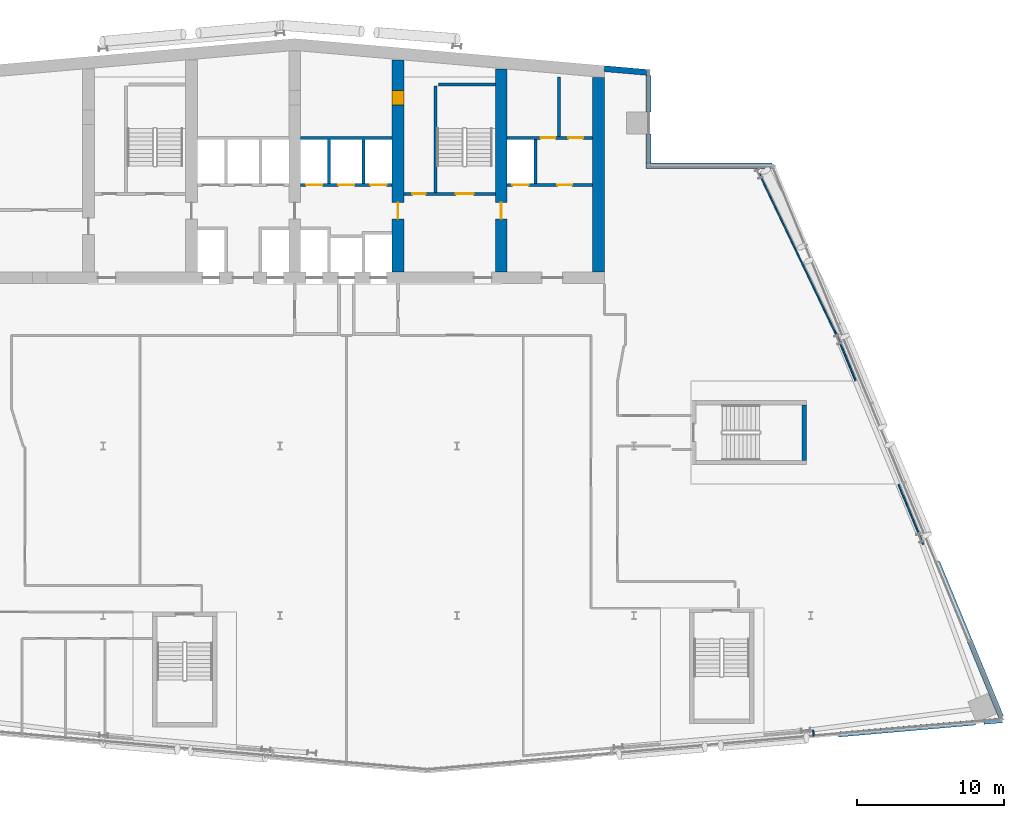
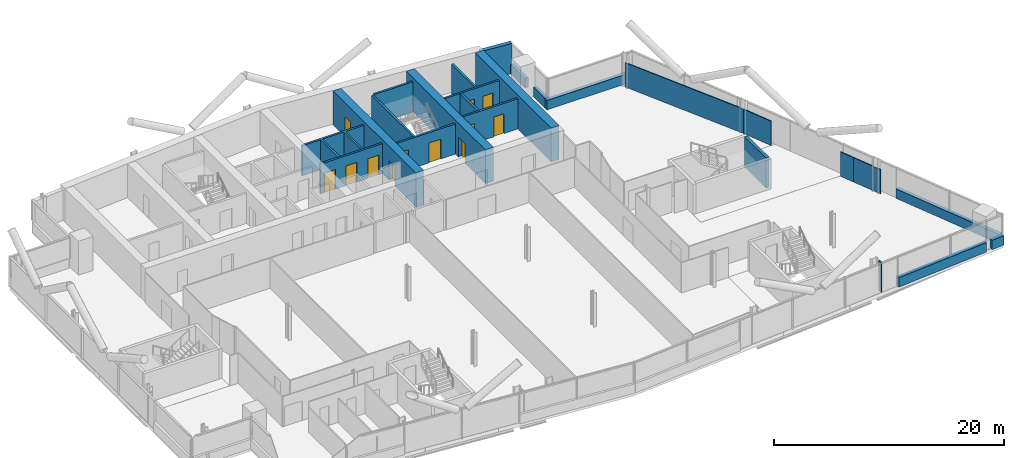
# One storey, part 18 of 26: 25 walls, 12 doors, 12 openings.
"""IFC4 building model written with IfcOpenShell, lengths in metres."""

from ifc_helpers import new_model, si_unit, direction, frame, frame_2d, origin, place, context, subcontext, project, spatial, polyline, rectangle, outline, extrude, material, layer, layer_set, type_object, element, fill, save


model = new_model("IFC4")

# Units and contexts
model_context = context("Model", 3, precision=1e-05, world=origin(), true_north=direction((0.0, 1.0)))
body_context = subcontext(model_context, "Body", "Model", "MODEL_VIEW")
ifc_project = project(units=[si_unit("LENGTHUNIT", "METRE"), si_unit("AREAUNIT", "SQUARE_METRE"), si_unit("VOLUMEUNIT", "CUBIC_METRE"), si_unit("PLANEANGLEUNIT", "RADIAN"), si_unit("MASSUNIT", "GRAM", prefix="KILO")], contexts=[model_context])

# Site, building, storey
site_placement = place(None, origin())
site = spatial("IfcSite", under=ifc_project, at=site_placement, CompositionType="ELEMENT")
building_placement = place(site_placement, origin())
building = spatial("IfcBuilding", under=site, at=building_placement, Name="Wharfspan Tower", CompositionType="ELEMENT")
storey_placement = place(building_placement, frame((0.0, 0.0, 180.699951)))
storey = spatial("IfcBuildingStorey", under=building, at=storey_placement, Name="L44", CompositionType="ELEMENT", Elevation=180.699951)

# Wall
ifc_material_1 = material(Name="Calcium silicate masonry", Category="masonry")
ifc_layer_1 = layer(ifc_material_1, 0.199951)
ifc_layer_set_1 = layer_set([ifc_layer_1], Name="Calcium silicate masonry")
wall_type_1 = type_object("IfcWallType", Name="Core room wall 200", PredefinedType="PARTITIONING", material=ifc_layer_set_1)
wall_1_placement = place(storey_placement, frame((54.93335, 44.0, 0.0), z_axis=(0.0, 0.0, 1.0), x_axis=(0.0, 1.0, 0.0)))
element("IfcWall", 1, at=wall_1_placement, inside=storey, type_object=wall_type_1, Name="sw:L44:RP6.1", PredefinedType="PARTITIONING", context=body_context, shape_type="SweptSolid", body=[
    extrude(rectangle(XDim=4.03418, YDim=0.199951, at=frame_2d((2.01709, 0.0))), origin(), (0.0, 0.0, 1.0), 3.199951),
])

# Wall, openings, doors
ifc_material_2 = material(Name="Concrete C60/75", Category="concrete")
ifc_layer_2 = layer(ifc_material_2, 0.800049)
ifc_layer_set_2 = layer_set([ifc_layer_2], Name="Concrete C60/75")
wall_type_2 = type_object("IfcWallType", Name="Core wall 800 C60/75", PredefinedType="SHEAR", material=ifc_layer_set_2)
wall_2_placement = place(storey_placement, frame((44.0, 34.800049, 0.0), z_axis=(0.0, 0.0, 1.0), x_axis=(0.0, 1.0, 0.0)))
wall_2 = element("IfcWall", 2, at=wall_2_placement, inside=storey, type_object=wall_type_2, Name="Core cross wall X5 L44", PredefinedType="SHEAR", context=body_context, shape_type="SweptSolid", body=[
    extrude(rectangle(XDim=14.374023, YDim=0.800049, at=frame_2d((7.187012, 0.0))), origin(), (0.0, 0.0, 1.0), 3.600098),
])
opening_1_placement = place(wall_2_placement, frame((11.312012, 0.0, 0.0)))
opening_1 = element("IfcOpeningElement", 3, at=opening_1_placement, cuts=wall_2, Name="Opening CD44.4X", PredefinedType="OPENING", context=body_context, shape_type="SweptSolid", body=[
    extrude(rectangle(XDim=1.0, YDim=2.100098, at=frame_2d((0.5, 1.050049))), frame((0.0, 0.409912, 0.0), z_axis=(0.0, -1.0, 0.0), x_axis=(1.0, 0.0, 0.0)), (0.0, 0.0, 1.0), 0.820068),
])
opening_2_placement = place(wall_2_placement, frame((3.600098, 0.0, 0.0)))
opening_2 = element("IfcOpeningElement", 4, at=opening_2_placement, cuts=wall_2, Name="Opening CC44.5", PredefinedType="OPENING", context=body_context, shape_type="SweptSolid", body=[
    extrude(rectangle(XDim=1.100098, YDim=2.100098, at=frame_2d((0.550049, 1.050049))), frame((0.0, 0.409912, 0.0), z_axis=(0.0, -1.0, 0.0), x_axis=(1.0, 0.0, 0.0)), (0.0, 0.0, 1.0), 0.820068),
])
ifc_material_3 = material(Name="Steel door leaf", Category="steel")
door_type_1 = type_object("IfcDoorType", Name="Core corridor door 1100x2100", OperationType="SINGLE_SWING_LEFT", PredefinedType="DOOR", material=ifc_material_3)
door_1_placement = place(opening_2_placement, origin())
door_1 = element("IfcDoor", 5, at=door_1_placement, inside=storey, type_object=door_type_1, Name="xd:L44:5", OperationType="SINGLE_SWING_LEFT", OverallHeight=2.100098, OverallWidth=1.100098, PredefinedType="DOOR", context=body_context, shape_type="SweptSolid", body=[
    extrude(rectangle(XDim=1.100098, YDim=2.100098, at=frame_2d((0.550049, 1.050049))), frame((0.0, 0.024902, 0.0), z_axis=(0.0, -1.0, 0.0), x_axis=(1.0, 0.0, 0.0)), (0.0, 0.0, 1.0), 0.050049),
])
fill(opening_2, door_1)
door_type_2 = type_object("IfcDoorType", Name="Core room door 1000x2100", OperationType="SINGLE_SWING_LEFT", PredefinedType="DOOR", material=ifc_material_3)
door_2_placement = place(opening_1_placement, origin())
door_2 = element("IfcDoor", 6, at=door_2_placement, inside=storey, type_object=door_type_2, Name="d:L44:4:sx", OperationType="SINGLE_SWING_LEFT", OverallHeight=2.100098, OverallWidth=1.0, PredefinedType="DOOR", context=body_context, shape_type="SweptSolid", body=[
    extrude(rectangle(XDim=1.0, YDim=2.100098, at=frame_2d((0.5, 1.050049))), frame((0.0, 0.399902, 0.0), z_axis=(0.0, -1.0, 0.0), x_axis=(1.0, 0.0, 0.0)), (0.0, 0.0, 1.0), 0.799561),
])
fill(opening_1, door_2)

# Wall, opening, door
wall_3_placement = place(storey_placement, frame((51.0, 34.800049, 0.0), z_axis=(0.0, 0.0, 1.0), x_axis=(0.0, 1.0, 0.0)))
wall_3 = element("IfcWall", 7, at=wall_3_placement, inside=storey, type_object=wall_type_2, Name="Core cross wall X6 L44", PredefinedType="SHEAR", context=body_context, shape_type="SweptSolid", body=[
    extrude(rectangle(XDim=13.761719, YDim=0.800049, at=frame_2d((6.880859, 0.0))), origin(), (0.0, 0.0, 1.0), 3.600098),
])
opening_3_placement = place(wall_3_placement, frame((3.600098, 0.0, 0.0)))
opening_3 = element("IfcOpeningElement", 8, at=opening_3_placement, cuts=wall_3, Name="Opening CC44.6", PredefinedType="OPENING", context=body_context, shape_type="SweptSolid", body=[
    extrude(rectangle(XDim=1.100098, YDim=2.100098, at=frame_2d((0.550049, 1.050049))), frame((0.0, 0.409912, 0.0), z_axis=(0.0, -1.0, 0.0), x_axis=(1.0, 0.0, 0.0)), (0.0, 0.0, 1.0), 0.820068),
])
door_3_placement = place(opening_3_placement, origin())
door_3 = element("IfcDoor", 9, at=door_3_placement, inside=storey, type_object=door_type_1, Name="xd:L44:6", OperationType="SINGLE_SWING_RIGHT", OverallHeight=2.100098, OverallWidth=1.100098, PredefinedType="DOOR", context=body_context, shape_type="SweptSolid", body=[
    extrude(rectangle(XDim=1.100098, YDim=2.100098, at=frame_2d((0.550049, 1.050049))), frame((0.0, 0.024902, 0.0), z_axis=(0.0, -1.0, 0.0), x_axis=(1.0, 0.0, 0.0)), (0.0, 0.0, 1.0), 0.050049),
])
fill(opening_3, door_3)

# Wall
wall_4_placement = place(storey_placement, frame((57.600098, 34.800049, 0.0), z_axis=(0.0, 0.0, 1.0), x_axis=(0.0, 1.0, 0.0)))
element("IfcWall", 10, at=wall_4_placement, inside=storey, type_object=wall_type_2, Name="Core cross wall EW1 L44", PredefinedType="SHEAR", context=body_context, shape_type="SweptSolid", body=[
    extrude(rectangle(XDim=13.184326, YDim=0.800049, at=frame_2d((6.592285, 0.0))), origin(), (0.0, 0.0, 1.0), 3.600098),
])

# Wall, openings, doors
ifc_material_4 = material(Name="Concrete C30/37", Category="concrete")
ifc_layer_3 = layer(ifc_material_4, 0.199951)
ifc_layer_set_3 = layer_set([ifc_layer_3], Name="Concrete C30/37")
wall_type_3 = type_object("IfcWallType", Name="Lift shaft wall 200", PredefinedType="PARTITIONING", material=ifc_layer_set_3)
wall_5_placement = place(storey_placement, frame((37.399902, 40.699951, 0.0), z_axis=(0.0, 0.0, 1.0), x_axis=(1.0, 0.0, 0.0)))
wall_5 = element("IfcWall", 11, at=wall_5_placement, inside=storey, type_object=wall_type_3, Name="sw:L44:RF4", PredefinedType="PARTITIONING", context=body_context, shape_type="SweptSolid", body=[
    extrude(rectangle(XDim=6.200195, YDim=0.199951, at=frame_2d((3.100098, 0.0))), origin(), (0.0, 0.0, 1.0), 3.199951),
])
opening_4_placement = place(wall_5_placement, frame((0.366699, 0.0, 0.0)))
opening_4 = element("IfcOpeningElement", 12, at=opening_4_placement, cuts=wall_5, Name="Opening LD.LB4.L44", PredefinedType="OPENING", context=body_context, shape_type="SweptSolid", body=[
    extrude(rectangle(XDim=1.100098, YDim=2.100098, at=frame_2d((0.550049, 1.050049))), frame((0.0, 0.109863, 0.0), z_axis=(0.0, -1.0, 0.0), x_axis=(1.0, 0.0, 0.0)), (0.0, 0.0, 1.0), 0.219971),
])
opening_5_placement = place(wall_5_placement, frame((2.550049, 0.0, 0.0)))
opening_5 = element("IfcOpeningElement", 13, at=opening_5_placement, cuts=wall_5, Name="Opening LD.LB5.L44", PredefinedType="OPENING", context=body_context, shape_type="SweptSolid", body=[
    extrude(rectangle(XDim=1.100098, YDim=2.100098, at=frame_2d((0.550049, 1.050049))), frame((0.0, 0.109863, 0.0), z_axis=(0.0, -1.0, 0.0), x_axis=(1.0, 0.0, 0.0)), (0.0, 0.0, 1.0), 0.219971),
])
opening_6_placement = place(wall_5_placement, frame((4.733398, 0.0, 0.0)))
opening_6 = element("IfcOpeningElement", 14, at=opening_6_placement, cuts=wall_5, Name="Opening LD.LB6.L44", PredefinedType="OPENING", context=body_context, shape_type="SweptSolid", body=[
    extrude(rectangle(XDim=1.100098, YDim=2.100098, at=frame_2d((0.550049, 1.050049))), frame((0.0, 0.109863, 0.0), z_axis=(0.0, -1.0, 0.0), x_axis=(1.0, 0.0, 0.0)), (0.0, 0.0, 1.0), 0.219971),
])
ifc_material_5 = material(Name="Stainless steel", Category="steel")
door_type_3 = type_object("IfcDoorType", Name="Lift landing door 1100x2100", OperationType="DOUBLE_DOOR_SLIDING", PredefinedType="DOOR", material=ifc_material_5)
door_4_placement = place(opening_4_placement, origin())
door_4 = element("IfcDoor", 15, at=door_4_placement, inside=storey, type_object=door_type_3, Name="Landing door LB4 L44", OperationType="DOUBLE_DOOR_SLIDING", OverallHeight=2.100098, OverallWidth=1.100098, PredefinedType="DOOR", context=body_context, shape_type="SweptSolid", body=[
    extrude(rectangle(XDim=1.100098, YDim=2.100098, at=frame_2d((0.550049, 1.050049))), frame((0.0, 0.024902, 0.0), z_axis=(0.0, -1.0, 0.0), x_axis=(1.0, 0.0, 0.0)), (0.0, 0.0, 1.0), 0.050049),
])
fill(opening_4, door_4)
door_5_placement = place(opening_5_placement, origin())
door_5 = element("IfcDoor", 16, at=door_5_placement, inside=storey, type_object=door_type_3, Name="Landing door LB5 L44", OperationType="DOUBLE_DOOR_SLIDING", OverallHeight=2.100098, OverallWidth=1.100098, PredefinedType="DOOR", context=body_context, shape_type="SweptSolid", body=[
    extrude(rectangle(XDim=1.100098, YDim=2.100098, at=frame_2d((0.550049, 1.050049))), frame((0.0, 0.024902, 0.0), z_axis=(0.0, -1.0, 0.0), x_axis=(1.0, 0.0, 0.0)), (0.0, 0.0, 1.0), 0.050049),
])
fill(opening_5, door_5)
door_6_placement = place(opening_6_placement, origin())
door_6 = element("IfcDoor", 17, at=door_6_placement, inside=storey, type_object=door_type_3, Name="Landing door LB6 L44", OperationType="DOUBLE_DOOR_SLIDING", OverallHeight=2.100098, OverallWidth=1.100098, PredefinedType="DOOR", context=body_context, shape_type="SweptSolid", body=[
    extrude(rectangle(XDim=1.100098, YDim=2.100098, at=frame_2d((0.550049, 1.050049))), frame((0.0, 0.024902, 0.0), z_axis=(0.0, -1.0, 0.0), x_axis=(1.0, 0.0, 0.0)), (0.0, 0.0, 1.0), 0.050049),
])
fill(opening_6, door_6)

# Wall
wall_6_placement = place(storey_placement, frame((0.0, 0.0, -0.000244)))
element("IfcWall", 18, at=wall_6_placement, inside=storey, type_object=wall_type_3, Name="sw:L44:RM4.0", PredefinedType="PARTITIONING", context=body_context, shape_type="SweptSolid", body=[
    extrude(outline(polyline([(39.43335, 40.800049), (39.233398, 40.800049), (39.233398, 43.800049), (37.399902, 43.800049), (37.399902, 44.0), (43.600098, 44.0), (43.600098, 43.800049), (41.766602, 43.800049), (41.766602, 40.800049), (41.56665, 40.800049), (41.56665, 43.800049), (39.43335, 43.800049), (39.43335, 40.800049)])), origin(), (0.0, 0.0, 1.0), 3.200195),
])

# Wall, openings, doors
wall_7_placement = place(storey_placement, frame((51.399902, 40.699951, 0.0), z_axis=(0.0, 0.0, 1.0), x_axis=(1.0, 0.0, 0.0)))
wall_7 = element("IfcWall", 19, at=wall_7_placement, inside=storey, type_object=wall_type_3, Name="sw:L44:RF6", PredefinedType="PARTITIONING", context=body_context, shape_type="SweptSolid", body=[
    extrude(rectangle(XDim=5.800049, YDim=0.199951, at=frame_2d((2.899902, 0.0))), origin(), (0.0, 0.0, 1.0), 3.199951),
])
opening_7_placement = place(wall_7_placement, frame((0.366699, 0.0, 0.0)))
opening_7 = element("IfcOpeningElement", 20, at=opening_7_placement, cuts=wall_7, Name="Opening LD.LB8.L44", PredefinedType="OPENING", context=body_context, shape_type="SweptSolid", body=[
    extrude(rectangle(XDim=1.100098, YDim=2.100098, at=frame_2d((0.550049, 1.050049))), frame((0.0, 0.109863, 0.0), z_axis=(0.0, -1.0, 0.0), x_axis=(1.0, 0.0, 0.0)), (0.0, 0.0, 1.0), 0.219971),
])
opening_8_placement = place(wall_7_placement, frame((3.416748, 0.0, 0.0)))
opening_8 = element("IfcOpeningElement", 21, at=opening_8_placement, cuts=wall_7, Name="Opening CD44.6R2", PredefinedType="OPENING", context=body_context, shape_type="SweptSolid", body=[
    extrude(rectangle(XDim=1.0, YDim=2.100098, at=frame_2d((0.5, 1.050049))), frame((0.0, 0.109863, 0.0), z_axis=(0.0, -1.0, 0.0), x_axis=(1.0, 0.0, 0.0)), (0.0, 0.0, 1.0), 0.219971),
])
door_7_placement = place(opening_8_placement, origin())
door_7 = element("IfcDoor", 22, at=door_7_placement, inside=storey, type_object=door_type_2, Name="d:L44:6:rd6.2", OperationType="SINGLE_SWING_RIGHT", OverallHeight=2.100098, OverallWidth=1.0, PredefinedType="DOOR", context=body_context, shape_type="SweptSolid", body=[
    extrude(rectangle(XDim=1.0, YDim=2.100098, at=frame_2d((0.5, 1.050049))), frame((0.0, 0.024902, 0.0), z_axis=(0.0, -1.0, 0.0), x_axis=(1.0, 0.0, 0.0)), (0.0, 0.0, 1.0), 0.050049),
])
fill(opening_8, door_7)
door_8_placement = place(opening_7_placement, origin())
door_8 = element("IfcDoor", 23, at=door_8_placement, inside=storey, type_object=door_type_3, Name="Landing door LB8 L44", OperationType="DOUBLE_DOOR_SLIDING", OverallHeight=2.100098, OverallWidth=1.100098, PredefinedType="DOOR", context=body_context, shape_type="SweptSolid", body=[
    extrude(rectangle(XDim=1.100098, YDim=2.100098, at=frame_2d((0.550049, 1.050049))), frame((0.0, 0.024902, 0.0), z_axis=(0.0, -1.0, 0.0), x_axis=(1.0, 0.0, 0.0)), (0.0, 0.0, 1.0), 0.050049),
])
fill(opening_7, door_8)

wall_8_placement = place(storey_placement, frame((51.399902, 43.899902, 0.0), z_axis=(0.0, 0.0, 1.0), x_axis=(1.0, 0.0, 0.0)))
wall_8 = element("IfcWall", 24, at=wall_8_placement, inside=storey, type_object=wall_type_3, Name="sw:L44:RR6", PredefinedType="PARTITIONING", context=body_context, shape_type="SweptSolid", body=[
    extrude(rectangle(XDim=5.800049, YDim=0.199951, at=frame_2d((2.899902, 0.0))), origin(), (0.0, 0.0, 1.0), 3.199951),
])
opening_9_placement = place(wall_8_placement, frame((2.283203, 0.0, 0.0)))
opening_9 = element("IfcOpeningElement", 25, at=opening_9_placement, cuts=wall_8, Name="Opening CD44.6S2", PredefinedType="OPENING", context=body_context, shape_type="SweptSolid", body=[
    extrude(rectangle(XDim=1.0, YDim=2.100098, at=frame_2d((0.5, 1.050049))), frame((0.0, 0.109863, 0.0), z_axis=(0.0, -1.0, 0.0), x_axis=(1.0, 0.0, 0.0)), (0.0, 0.0, 1.0), 0.219971),
])
opening_10_placement = place(wall_8_placement, frame((4.166748, 0.0, 0.0)))
opening_10 = element("IfcOpeningElement", 26, at=opening_10_placement, cuts=wall_8, Name="Opening CD44.6S2a", PredefinedType="OPENING", context=body_context, shape_type="SweptSolid", body=[
    extrude(rectangle(XDim=1.0, YDim=2.100098, at=frame_2d((0.5, 1.050049))), frame((0.0, 0.109863, 0.0), z_axis=(0.0, -1.0, 0.0), x_axis=(1.0, 0.0, 0.0)), (0.0, 0.0, 1.0), 0.219971),
])
door_9_placement = place(opening_9_placement, origin())
door_9 = element("IfcDoor", 27, at=door_9_placement, inside=storey, type_object=door_type_2, Name="d:L44:6:rs6.2", OperationType="SINGLE_SWING_LEFT", OverallHeight=2.100098, OverallWidth=1.0, PredefinedType="DOOR", context=body_context, shape_type="SweptSolid", body=[
    extrude(rectangle(XDim=1.0, YDim=2.100098, at=frame_2d((0.5, 1.050049))), frame((0.0, 0.024902, 0.0), z_axis=(0.0, -1.0, 0.0), x_axis=(1.0, 0.0, 0.0)), (0.0, 0.0, 1.0), 0.050049),
])
fill(opening_9, door_9)
door_10_placement = place(opening_10_placement, origin())
door_10 = element("IfcDoor", 28, at=door_10_placement, inside=storey, type_object=door_type_2, Name="d:L44:6:rs6.2a", OperationType="SINGLE_SWING_LEFT", OverallHeight=2.100098, OverallWidth=1.0, PredefinedType="DOOR", context=body_context, shape_type="SweptSolid", body=[
    extrude(rectangle(XDim=1.0, YDim=2.100098, at=frame_2d((0.5, 1.050049))), frame((0.0, 0.024902, 0.0), z_axis=(0.0, -1.0, 0.0), x_axis=(1.0, 0.0, 0.0)), (0.0, 0.0, 1.0), 0.050049),
])
fill(opening_10, door_10)

# Walls
wall_9_placement = place(storey_placement, frame((0.0, 0.0, -0.000244)))
element("IfcWall", 29, at=wall_9_placement, inside=storey, type_object=wall_type_3, Name="sw:L44:RM6.0", PredefinedType="PARTITIONING", context=body_context, shape_type="SweptSolid", body=[
    extrude(outline(polyline([(53.43335, 40.800049), (53.43335, 43.800049), (53.233398, 43.800049), (53.233398, 40.800049), (53.43335, 40.800049)])), origin(), (0.0, 0.0, 1.0), 3.200195),
])
ifc_material_6 = material(Name="Gypsum board on steel studs", Category="steel")
ifc_layer_4 = layer(ifc_material_6, 0.100098)
ifc_layer_set_4 = layer_set([ifc_layer_4], Name="Gypsum board on steel studs")
wall_type_4 = type_object("IfcWallType", Name="Partition 100", PredefinedType="PARTITIONING", material=ifc_layer_set_4)
wall_10_placement = place(storey_placement, frame((72.198242, 3.300049, 0.0), z_axis=(0.0, 0.0, 1.0), x_axis=(-0.083759, 0.996486, 0.0)))
element("IfcWall", 30, at=wall_10_placement, inside=storey, type_object=wall_type_4, Name="Partition L44.w047", PredefinedType="PARTITIONING", context=body_context, shape_type="SweptSolid", body=[
    extrude(rectangle(XDim=0.396484, YDim=0.100098, at=frame_2d((0.198242, 0.0))), origin(), (0.0, 0.0, 1.0), 3.199951),
])
wall_11_placement = place(storey_placement, frame((73.88501, 30.22998, 0.0), z_axis=(0.0, 0.0, 1.0), x_axis=(-0.432221, 0.901772, 0.0)))
element("IfcWall", 31, at=wall_11_placement, inside=storey, type_object=wall_type_4, Name="Partition L44.w048", PredefinedType="PARTITIONING", context=body_context, shape_type="SweptSolid", body=[
    extrude(rectangle(XDim=12.458984, YDim=0.100098, at=frame_2d((6.229492, 0.0))), origin(), (0.0, 0.0, 1.0), 2.580078),
])
wall_12_placement = place(storey_placement, frame((75.046631, 27.419922, 0.0), z_axis=(0.0, 0.0, 1.0), x_axis=(-0.382024, 0.924148, 0.0)))
element("IfcWall", 32, at=wall_12_placement, inside=storey, type_object=wall_type_4, Name="Partition L44.w049", PredefinedType="PARTITIONING", context=body_context, shape_type="SweptSolid", body=[
    extrude(rectangle(XDim=3.040771, YDim=0.100098, at=frame_2d((1.520508, 0.0))), origin(), (0.0, 0.0, 1.0), 2.580078),
])
wall_13_placement = place(storey_placement, frame((78.5, 19.050049, 0.0), z_axis=(0.0, 0.0, 1.0), x_axis=(-0.380332, 0.924852, 0.0)))
element("IfcWall", 33, at=wall_13_placement, inside=storey, type_object=wall_type_4, Name="Partition L44.w050", PredefinedType="PARTITIONING", context=body_context, shape_type="SweptSolid", body=[
    extrude(rectangle(XDim=1.437988, YDim=0.100098, at=frame_2d((0.718994, 0.0))), origin(), (0.0, 0.0, 1.0), 2.580078),
])
wall_14_placement = place(storey_placement, frame((79.629883, 16.310059, 0.0), z_axis=(0.0, 0.0, 1.0), x_axis=(-0.381225, 0.924479, 0.0)))
element("IfcWall", 34, at=wall_14_placement, inside=storey, type_object=wall_type_4, Name="Partition L44.w051", PredefinedType="PARTITIONING", context=body_context, shape_type="SweptSolid", body=[
    extrude(rectangle(XDim=2.963867, YDim=0.100098, at=frame_2d((1.481934, 0.0))), origin(), (0.0, 0.0, 1.0), 2.580078),
])
ifc_material_7 = material(Name="Concrete C40/50", Category="concrete")
ifc_layer_5 = layer(ifc_material_7, 0.350098)
ifc_layer_set_5 = layer_set([ifc_layer_5], Name="Concrete C40/50")
wall_type_5 = type_object("IfcWallType", Name="SPANDREL EXPOSED CONCRETE 350", PredefinedType="SOLIDWALL", material=ifc_layer_set_5)
wall_15_placement = place(storey_placement, frame((73.887451, 3.422852, 0.0), z_axis=(0.0, 0.0, 1.0), x_axis=(0.996197, 0.087145, 0.0)))
element("IfcWall", 35, at=wall_15_placement, inside=storey, type_object=wall_type_5, Name="Spandrel upstand L44 S2 2", PredefinedType="SOLIDWALL", context=body_context, shape_type="SweptSolid", body=[
    extrude(rectangle(XDim=9.323486, YDim=0.350098, at=frame_2d((4.661621, 0.0))), origin(), (0.0, 0.0, 1.0), 1.0),
])
wall_16_placement = place(storey_placement, frame((83.744629, 4.285156, 0.0), z_axis=(0.0, 0.0, 1.0), x_axis=(0.996198, 0.087148, 0.0)))
element("IfcWall", 36, at=wall_16_placement, inside=storey, type_object=wall_type_5, Name="Spandrel upstand L44 S2 3", PredefinedType="SOLIDWALL", context=body_context, shape_type="SweptSolid", body=[
    extrude(rectangle(XDim=1.260742, YDim=0.350098, at=frame_2d((0.630371, 0.0))), origin(), (0.0, 0.0, 1.0), 1.0),
])
wall_17_placement = place(storey_placement, frame((84.91626, 4.615967, 0.0), z_axis=(0.0, 0.0, 1.0), x_axis=(-0.381598, 0.924328, 0.0)))
element("IfcWall", 37, at=wall_17_placement, inside=storey, type_object=wall_type_5, Name="Spandrel upstand L44 E", PredefinedType="SOLIDWALL", context=body_context, shape_type="SweptSolid", body=[
    extrude(rectangle(XDim=11.360596, YDim=0.350098, at=frame_2d((5.680176, 0.0))), origin(), (0.0, 0.0, 1.0), 1.0),
])
wall_18_placement = place(storey_placement, frame((69.366211, 42.004883, 0.0), z_axis=(0.0, 0.0, 1.0), x_axis=(-1.0, 0.0, 0.0)))
element("IfcWall", 38, at=wall_18_placement, inside=storey, type_object=wall_type_5, Name="Spandrel upstand L44 NRE-H", PredefinedType="SOLIDWALL", context=body_context, shape_type="SweptSolid", body=[
    extrude(rectangle(XDim=8.536133, YDim=0.350098, at=frame_2d((4.268066, 0.0))), origin(), (0.0, 0.0, 1.0), 1.0),
])
wall_19_placement = place(storey_placement, frame((61.004883, 42.179932, 0.0), z_axis=(0.0, 0.0, 1.0), x_axis=(0.0, 1.0, 0.0)))
element("IfcWall", 39, at=wall_19_placement, inside=storey, type_object=wall_type_5, Name="Spandrel upstand L44 NRE-V", PredefinedType="SOLIDWALL", context=body_context, shape_type="SweptSolid", body=[
    extrude(rectangle(XDim=1.969971, YDim=0.350098, at=frame_2d((0.984863, 0.0))), origin(), (0.0, 0.0, 1.0), 1.0),
])
wall_20_placement = place(storey_placement, frame((61.004883, 45.649902, 0.0), z_axis=(0.0, 0.0, 1.0), x_axis=(0.0, 1.0, 0.0)))
element("IfcWall", 40, at=wall_20_placement, inside=storey, type_object=wall_type_5, Name="Spandrel upstand L44 NRE-V 2", PredefinedType="SOLIDWALL", context=body_context, shape_type="SweptSolid", body=[
    extrude(rectangle(XDim=2.476562, YDim=0.350098, at=frame_2d((1.238281, 0.0))), origin(), (0.0, 0.0, 1.0), 1.0),
])
ifc_layer_6 = layer(ifc_material_7, 0.300049)
ifc_layer_set_6 = layer_set([ifc_layer_6], Name="Concrete C40/50")
wall_type_6 = type_object("IfcWallType", Name="Stair core wall 300", PredefinedType="SHEAR", material=ifc_layer_set_6)
wall_21_placement = place(storey_placement, frame((71.554688, 22.024902, 0.0), z_axis=(0.0, 0.0, 1.0), x_axis=(0.0, 1.0, 0.0)))
element("IfcWall", 41, at=wall_21_placement, inside=storey, type_object=wall_type_6, Name="ST6 stair enclosure wall L44", PredefinedType="SHEAR", context=body_context, shape_type="SweptSolid", body=[
    extrude(rectangle(XDim=3.75, YDim=0.300049, at=frame_2d((1.875, 0.0))), origin(), (0.0, 0.0, 1.0), 3.199951),
])

# Wall, openings, doors
ifc_layer_7 = layer(ifc_material_7, 0.199951)
ifc_layer_set_7 = layer_set([ifc_layer_7], Name="Concrete C40/50")
wall_type_7 = type_object("IfcWallType", Name="Stair shaft wall 200", PredefinedType="SHEAR", material=ifc_layer_set_7)
wall_22_placement = place(storey_placement, frame((44.399902, 40.100098, 0.0), z_axis=(0.0, 0.0, 1.0), x_axis=(1.0, 0.0, 0.0)))
wall_22 = element("IfcWall", 42, at=wall_22_placement, inside=storey, type_object=wall_type_7, Name="ST2 stair enclosure wall L44", PredefinedType="SHEAR", context=body_context, shape_type="SweptSolid", body=[
    extrude(rectangle(XDim=6.200195, YDim=0.199951, at=frame_2d((3.100098, 0.0))), origin(), (0.0, 0.0, 1.0), 3.199951),
])
opening_11_placement = place(wall_22_placement, frame((3.524902, 0.0, 0.0)))
opening_11 = element("IfcOpeningElement", 43, at=opening_11_placement, cuts=wall_22, Name="Opening SD5.L44", PredefinedType="OPENING", context=body_context, shape_type="SweptSolid", body=[
    extrude(rectangle(XDim=1.199951, YDim=2.100098, at=frame_2d((0.600098, 1.050049))), frame((0.0, 0.109863, 0.0), z_axis=(0.0, -1.0, 0.0), x_axis=(1.0, 0.0, 0.0)), (0.0, 0.0, 1.0), 0.219971),
])
opening_12_placement = place(wall_22_placement, frame((0.574951, 0.0, 0.0)))
opening_12 = element("IfcOpeningElement", 44, at=opening_12_placement, cuts=wall_22, Name="Opening CD44.5R", PredefinedType="OPENING", context=body_context, shape_type="SweptSolid", body=[
    extrude(rectangle(XDim=0.899902, YDim=2.100098, at=frame_2d((0.449951, 1.050049))), frame((0.0, 0.109863, 0.0), z_axis=(0.0, -1.0, 0.0), x_axis=(1.0, 0.0, 0.0)), (0.0, 0.0, 1.0), 0.219971),
])
door_11_placement = place(opening_12_placement, origin())
door_11 = element("IfcDoor", 45, at=door_11_placement, inside=storey, type_object=door_type_2, Name="rk:L44:5", OperationType="SINGLE_SWING_LEFT", OverallHeight=2.100098, OverallWidth=0.899902, PredefinedType="DOOR", context=body_context, shape_type="SweptSolid", body=[
    extrude(rectangle(XDim=0.899902, YDim=2.100098, at=frame_2d((0.449951, 1.050049))), frame((0.0, 0.024902, 0.0), z_axis=(0.0, -1.0, 0.0), x_axis=(1.0, 0.0, 0.0)), (0.0, 0.0, 1.0), 0.050049),
])
fill(opening_12, door_11)
door_type_4 = type_object("IfcDoorType", Name="Stair door 1200x2100", OperationType="SINGLE_SWING_LEFT", PredefinedType="DOOR", material=ifc_material_3)
door_12_placement = place(opening_11_placement, origin())
door_12 = element("IfcDoor", 46, at=door_12_placement, inside=storey, type_object=door_type_4, Name="sd:L44:5", OperationType="SINGLE_SWING_RIGHT", OverallHeight=2.100098, OverallWidth=1.199951, PredefinedType="DOOR", context=body_context, shape_type="SweptSolid", body=[
    extrude(rectangle(XDim=1.199951, YDim=2.100098, at=frame_2d((0.600098, 1.050049))), frame((0.0, 0.024902, 0.0), z_axis=(0.0, -1.0, 0.0), x_axis=(1.0, 0.0, 0.0)), (0.0, 0.0, 1.0), 0.050049),
])
fill(opening_11, door_12)

# Walls
wall_23_placement = place(storey_placement, frame((46.550049, 40.199951, 0.0), z_axis=(0.0, 0.0, 1.0), x_axis=(0.0, 1.0, 0.0)))
element("IfcWall", 47, at=wall_23_placement, inside=storey, type_object=wall_type_7, Name="ST2 stair enclosure wall L44", PredefinedType="SHEAR", context=body_context, shape_type="SweptSolid", body=[
    extrude(rectangle(XDim=7.199951, YDim=0.199951, at=frame_2d((3.600098, 0.0))), origin(), (0.0, 0.0, 1.0), 3.199951),
])
wall_24_placement = place(storey_placement, frame((46.75, 47.5, 0.0), z_axis=(0.0, 0.0, 1.0), x_axis=(1.0, 0.0, 0.0)))
element("IfcWall", 48, at=wall_24_placement, inside=storey, type_object=wall_type_7, Name="ST2 stair enclosure wall L44", PredefinedType="SHEAR", context=body_context, shape_type="SweptSolid", body=[
    extrude(rectangle(XDim=3.850098, YDim=0.199951, at=frame_2d((1.925049, 0.0))), origin(), (0.0, 0.0, 1.0), 3.199951),
])
ifc_layer_8 = layer(ifc_material_7, 0.399902)
ifc_layer_set_8 = layer_set([ifc_layer_8], Name="Concrete C40/50")
wall_type_8 = type_object("IfcWallType", Name="WALL EXPOSED CONCRETE 400", PredefinedType="SOLIDWALL", material=ifc_layer_set_8)
wall_25_placement = place(storey_placement, frame((60.982666, 48.325684, 0.0), z_axis=(0.0, 0.0, 1.0), x_axis=(-0.996194, 0.087168, 0.0)))
element("IfcWall", 49, at=wall_25_placement, inside=storey, type_object=wall_type_8, Name="Rear wall N2", PredefinedType="SOLIDWALL", context=body_context, shape_type="SweptSolid", body=[
    extrude(rectangle(XDim=2.994141, YDim=0.399902, at=frame_2d((1.49707, 0.0))), origin(), (0.0, 0.0, 1.0), 3.199951),
])

save(model, "model.ifc")
